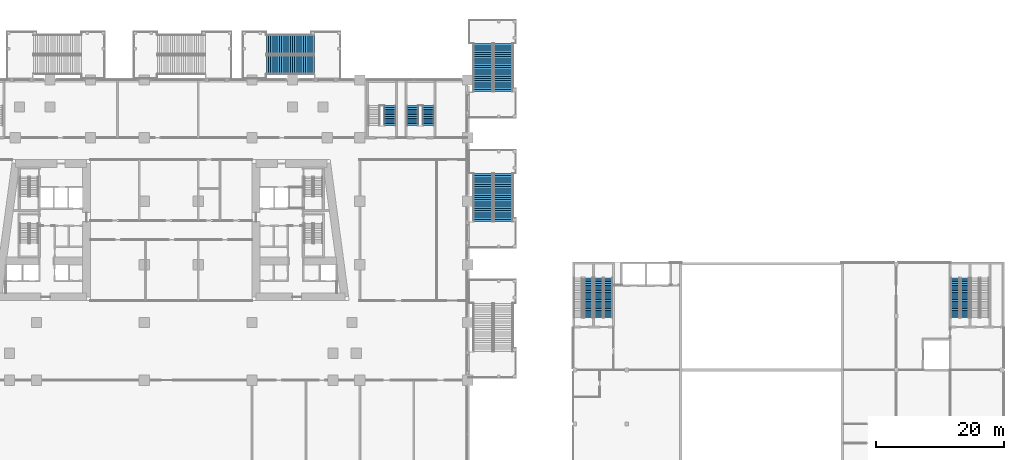
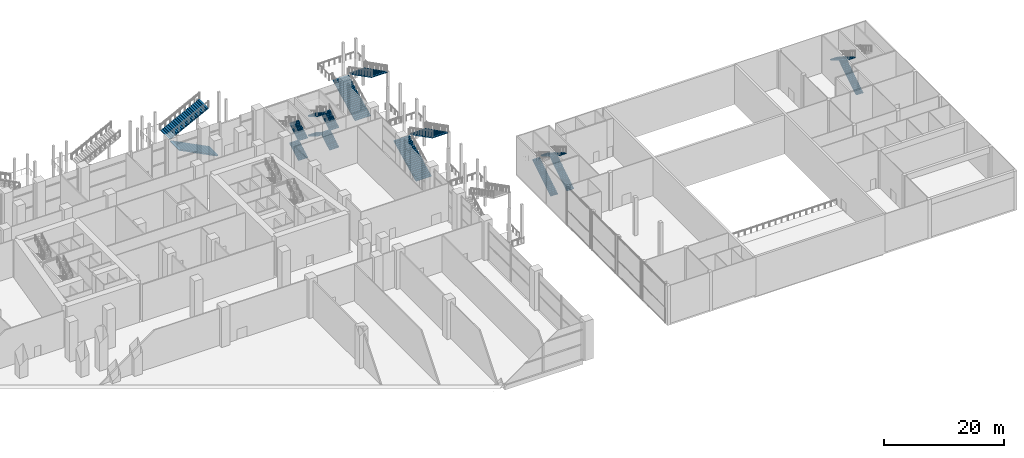
# One storey, part 36 of 52: 17 stair flights, 8 elements without a shape of their own.
"""IFC4 building model written with IfcOpenShell, lengths in metres."""

from ifc_helpers import new_model, si_unit, direction, frame, origin, place, context, subcontext, project, spatial, polyline, outline, extrude, material, type_object, element, aggregate, save


model = new_model("IFC4")

# Units and contexts
model_context = context("Model", 3, precision=1e-05, world=origin(), true_north=direction((0.0, 1.0)))
body_context = subcontext(model_context, "Body", "Model", "MODEL_VIEW")
ifc_project = project(units=[si_unit("LENGTHUNIT", "METRE"), si_unit("AREAUNIT", "SQUARE_METRE"), si_unit("VOLUMEUNIT", "CUBIC_METRE"), si_unit("PLANEANGLEUNIT", "RADIAN"), si_unit("MASSUNIT", "GRAM", prefix="KILO")], contexts=[model_context])

# Site, building, storey
site_placement = place(None, origin())
site = spatial("IfcSite", under=ifc_project, at=site_placement, CompositionType="ELEMENT")
building_placement = place(site_placement, origin())
building = spatial("IfcBuilding", under=site, at=building_placement, Name="Candeia Pilgrim Tower and Theatre", CompositionType="ELEMENT")
storey_placement = place(building_placement, frame((0.0, 0.0, 9.0)))
storey = spatial("IfcBuildingStorey", under=building, at=storey_placement, Name="L01", CompositionType="ELEMENT", Elevation=9.0)

# Stair, stair flights
ifc_material_1 = material(Name="Concrete C40/50", Category="concrete")
stair_type_1 = type_object("IfcStairType", Name="ST-EXT external escape stair", PredefinedType="HALF_TURN_STAIR", material=ifc_material_1)
stair_1_placement = place(storey_placement, origin())
stair_1 = element("IfcStair", 1, at=stair_1_placement, inside=storey, type_object=stair_type_1, Name="L01 External escape stair ES2", PredefinedType="HALF_TURN_STAIR")
stair_flight_type_1 = type_object("IfcStairFlightType", Name="SFL-EXT stair flight", PredefinedType="STRAIGHT", material=ifc_material_1)
stair_flight_1_placement = place(storey_placement, frame((162.0, 143.0, 0.0), z_axis=(0.0, 0.0, 1.0), x_axis=(0.0, 1.0, 0.0)))
stair_flight_1 = element("IfcStairFlight", 2, at=stair_flight_1_placement, type_object=stair_flight_type_1, Name="ES2 flight 1", NumberOfRisers=23, NumberOfTreads=22, PredefinedType="STRAIGHT", RiserHeight=0.173913043, TreadLength=0.34, context=body_context, shape_type="SweptSolid", body=[
    extrude(outline(polyline([(0.0, 0.0), (0.0, 0.173828125), (0.340087890625, 0.173828125), (0.340087890625, 0.347900390625), (0.679931640625, 0.347900390625), (0.679931640625, 0.521728515625), (1.02001953125, 0.521728515625), (1.02001953125, 0.695556640625), (1.360107421875, 0.695556640625), (1.360107421875, 0.86962890625), (1.699951171875, 0.86962890625), (1.699951171875, 1.04345703125), (2.0400390625, 1.04345703125), (2.0400390625, 1.21728515625), (2.3798828125, 1.21728515625), (2.3798828125, 1.391357421875), (2.719970703125, 1.391357421875), (2.719970703125, 1.565185546875), (3.06005859375, 1.565185546875), (3.06005859375, 1.739013671875), (3.39990234375, 1.739013671875), (3.39990234375, 1.9130859375), (3.739990234375, 1.9130859375), (3.739990234375, 2.0869140625), (4.080078125, 2.0869140625), (4.080078125, 2.260986328125), (4.419921875, 2.260986328125), (4.419921875, 2.434814453125), (4.760009765625, 2.434814453125), (4.760009765625, 2.608642578125), (5.10009765625, 2.608642578125), (5.10009765625, 2.78271484375), (5.43994140625, 2.78271484375), (5.43994140625, 2.95654296875), (5.780029296875, 2.95654296875), (5.780029296875, 3.13037109375), (6.1201171875, 3.13037109375), (6.1201171875, 3.304443359375), (6.4599609375, 3.304443359375), (6.4599609375, 3.478271484375), (6.800048828125, 3.478271484375), (6.800048828125, 3.652099609375), (7.139892578125, 3.652099609375), (7.139892578125, 3.826171875), (7.47998046875, 3.826171875), (7.47998046875, 4.0), (7.47998046875, 3.65771484375), (0.3291015625, 0.0), (0.0, 0.0)])), frame((0.0, 1.5, 0.0), z_axis=(0.0, -1.0, 0.0), x_axis=(1.0, 0.0, 0.0)), (0.0, 0.0, 1.0), 3.0),
])
stair_flight_2_placement = place(storey_placement, frame((165.14990234375, 150.47998046875, 4.0), z_axis=(0.0, 0.0, 1.0), x_axis=(0.0, -1.0, 0.0)))
stair_flight_2 = element("IfcStairFlight", 3, at=stair_flight_2_placement, type_object=stair_flight_type_1, Name="ES2 flight 2", NumberOfRisers=23, NumberOfTreads=22, PredefinedType="STRAIGHT", RiserHeight=0.173913043, TreadLength=0.34, context=body_context, shape_type="SweptSolid", body=[
    extrude(outline(polyline([(0.0, 0.0), (0.0, 0.173828125), (0.340087890625, 0.173828125), (0.340087890625, 0.347900390625), (0.679931640625, 0.347900390625), (0.679931640625, 0.521728515625), (1.02001953125, 0.521728515625), (1.02001953125, 0.695556640625), (1.360107421875, 0.695556640625), (1.360107421875, 0.86962890625), (1.699951171875, 0.86962890625), (1.699951171875, 1.04345703125), (2.0400390625, 1.04345703125), (2.0400390625, 1.21728515625), (2.3798828125, 1.21728515625), (2.3798828125, 1.391357421875), (2.719970703125, 1.391357421875), (2.719970703125, 1.565185546875), (3.06005859375, 1.565185546875), (3.06005859375, 1.739013671875), (3.39990234375, 1.739013671875), (3.39990234375, 1.9130859375), (3.739990234375, 1.9130859375), (3.739990234375, 2.0869140625), (4.080078125, 2.0869140625), (4.080078125, 2.260986328125), (4.419921875, 2.260986328125), (4.419921875, 2.434814453125), (4.760009765625, 2.434814453125), (4.760009765625, 2.608642578125), (5.10009765625, 2.608642578125), (5.10009765625, 2.78271484375), (5.43994140625, 2.78271484375), (5.43994140625, 2.95654296875), (5.780029296875, 2.95654296875), (5.780029296875, 3.13037109375), (6.1201171875, 3.13037109375), (6.1201171875, 3.304443359375), (6.4599609375, 3.304443359375), (6.4599609375, 3.478271484375), (6.800048828125, 3.478271484375), (6.800048828125, 3.652099609375), (7.139892578125, 3.652099609375), (7.139892578125, 3.826171875), (7.47998046875, 3.826171875), (7.47998046875, 4.0), (7.47998046875, 3.65771484375), (0.3291015625, 0.0), (0.0, 0.0)])), frame((0.0, 1.5, 0.0), z_axis=(0.0, -1.0, 0.0), x_axis=(1.0, 0.0, 0.0)), (0.0, 0.0, 1.0), 3.0),
])
aggregate(stair_1, [stair_flight_1, stair_flight_2])

stair_2_placement = place(storey_placement, origin())
stair_2 = element("IfcStair", 4, at=stair_2_placement, inside=storey, type_object=stair_type_1, Name="L01 External escape stair ES7", PredefinedType="HALF_TURN_STAIR")
stair_flight_3_placement = place(storey_placement, frame((135.699951171875, 147.199951171875, 0.0), z_axis=(0.0, 0.0, 1.0), x_axis=(-1.0, 0.0, 0.0)))
stair_flight_3 = element("IfcStairFlight", 5, at=stair_flight_3_placement, type_object=stair_flight_type_1, Name="ES7 flight 1", NumberOfRisers=23, NumberOfTreads=22, PredefinedType="STRAIGHT", RiserHeight=0.173913043, TreadLength=0.34, context=body_context, shape_type="SweptSolid", body=[
    extrude(outline(polyline([(0.0, 0.0), (0.0, 0.173828125), (0.340087890625, 0.173828125), (0.340087890625, 0.347900390625), (0.679931640625, 0.347900390625), (0.679931640625, 0.521728515625), (1.02001953125, 0.521728515625), (1.02001953125, 0.695556640625), (1.360107421875, 0.695556640625), (1.360107421875, 0.86962890625), (1.699951171875, 0.86962890625), (1.699951171875, 1.04345703125), (2.0400390625, 1.04345703125), (2.0400390625, 1.21728515625), (2.3798828125, 1.21728515625), (2.3798828125, 1.391357421875), (2.719970703125, 1.391357421875), (2.719970703125, 1.565185546875), (3.06005859375, 1.565185546875), (3.06005859375, 1.739013671875), (3.39990234375, 1.739013671875), (3.39990234375, 1.9130859375), (3.739990234375, 1.9130859375), (3.739990234375, 2.0869140625), (4.080078125, 2.0869140625), (4.080078125, 2.260986328125), (4.419921875, 2.260986328125), (4.419921875, 2.434814453125), (4.760009765625, 2.434814453125), (4.760009765625, 2.608642578125), (5.10009765625, 2.608642578125), (5.10009765625, 2.78271484375), (5.43994140625, 2.78271484375), (5.43994140625, 2.95654296875), (5.780029296875, 2.95654296875), (5.780029296875, 3.13037109375), (6.1201171875, 3.13037109375), (6.1201171875, 3.304443359375), (6.4599609375, 3.304443359375), (6.4599609375, 3.478271484375), (6.800048828125, 3.478271484375), (6.800048828125, 3.652099609375), (7.139892578125, 3.652099609375), (7.139892578125, 3.826171875), (7.47998046875, 3.826171875), (7.47998046875, 4.0), (7.47998046875, 3.65771484375), (0.3291015625, 0.0), (0.0, 0.0)])), frame((0.0, 1.5, 0.0), z_axis=(0.0, -1.0, 0.0), x_axis=(1.0, 0.0, 0.0)), (0.0, 0.0, 1.0), 3.0),
])
stair_flight_4_placement = place(storey_placement, frame((128.219970703125, 150.35009765625, 4.0), z_axis=(0.0, 0.0, 1.0), x_axis=(1.0, 0.0, 0.0)))
stair_flight_4 = element("IfcStairFlight", 6, at=stair_flight_4_placement, type_object=stair_flight_type_1, Name="ES7 flight 2", NumberOfRisers=23, NumberOfTreads=22, PredefinedType="STRAIGHT", RiserHeight=0.173913043, TreadLength=0.34, context=body_context, shape_type="SweptSolid", body=[
    extrude(outline(polyline([(0.0, 0.0), (0.0, 0.173828125), (0.340087890625, 0.173828125), (0.340087890625, 0.347900390625), (0.679931640625, 0.347900390625), (0.679931640625, 0.521728515625), (1.02001953125, 0.521728515625), (1.02001953125, 0.695556640625), (1.360107421875, 0.695556640625), (1.360107421875, 0.86962890625), (1.699951171875, 0.86962890625), (1.699951171875, 1.04345703125), (2.0400390625, 1.04345703125), (2.0400390625, 1.21728515625), (2.3798828125, 1.21728515625), (2.3798828125, 1.391357421875), (2.719970703125, 1.391357421875), (2.719970703125, 1.565185546875), (3.06005859375, 1.565185546875), (3.06005859375, 1.739013671875), (3.39990234375, 1.739013671875), (3.39990234375, 1.9130859375), (3.739990234375, 1.9130859375), (3.739990234375, 2.0869140625), (4.080078125, 2.0869140625), (4.080078125, 2.260986328125), (4.419921875, 2.260986328125), (4.419921875, 2.434814453125), (4.760009765625, 2.434814453125), (4.760009765625, 2.608642578125), (5.10009765625, 2.608642578125), (5.10009765625, 2.78271484375), (5.43994140625, 2.78271484375), (5.43994140625, 2.95654296875), (5.780029296875, 2.95654296875), (5.780029296875, 3.13037109375), (6.1201171875, 3.13037109375), (6.1201171875, 3.304443359375), (6.4599609375, 3.304443359375), (6.4599609375, 3.478271484375), (6.800048828125, 3.478271484375), (6.800048828125, 3.652099609375), (7.139892578125, 3.652099609375), (7.139892578125, 3.826171875), (7.47998046875, 3.826171875), (7.47998046875, 4.0), (7.47998046875, 3.65771484375), (0.3291015625, 0.0), (0.0, 0.0)])), frame((0.0, 1.5, 0.0), z_axis=(0.0, -1.0, 0.0), x_axis=(1.0, 0.0, 0.0)), (0.0, 0.0, 1.0), 3.0),
])
aggregate(stair_2, [stair_flight_3, stair_flight_4])

stair_3_placement = place(storey_placement, origin())
stair_3 = element("IfcStair", 7, at=stair_3_placement, inside=storey, type_object=stair_type_1, Name="L01 External escape stair ES14", PredefinedType="HALF_TURN_STAIR")
stair_flight_5_placement = place(storey_placement, frame((162.0, 122.75, 0.0), z_axis=(0.0, 0.0, 1.0), x_axis=(0.0, 1.0, 0.0)))
stair_flight_5 = element("IfcStairFlight", 8, at=stair_flight_5_placement, type_object=stair_flight_type_1, Name="ES14 flight 1", NumberOfRisers=23, NumberOfTreads=22, PredefinedType="STRAIGHT", RiserHeight=0.173913043, TreadLength=0.34, context=body_context, shape_type="SweptSolid", body=[
    extrude(outline(polyline([(0.0, 0.0), (0.0, 0.173828125), (0.340087890625, 0.173828125), (0.340087890625, 0.347900390625), (0.679931640625, 0.347900390625), (0.679931640625, 0.521728515625), (1.02001953125, 0.521728515625), (1.02001953125, 0.695556640625), (1.360107421875, 0.695556640625), (1.360107421875, 0.86962890625), (1.699951171875, 0.86962890625), (1.699951171875, 1.04345703125), (2.0400390625, 1.04345703125), (2.0400390625, 1.21728515625), (2.3798828125, 1.21728515625), (2.3798828125, 1.391357421875), (2.719970703125, 1.391357421875), (2.719970703125, 1.565185546875), (3.06005859375, 1.565185546875), (3.06005859375, 1.739013671875), (3.39990234375, 1.739013671875), (3.39990234375, 1.9130859375), (3.739990234375, 1.9130859375), (3.739990234375, 2.0869140625), (4.080078125, 2.0869140625), (4.080078125, 2.260986328125), (4.419921875, 2.260986328125), (4.419921875, 2.434814453125), (4.760009765625, 2.434814453125), (4.760009765625, 2.608642578125), (5.10009765625, 2.608642578125), (5.10009765625, 2.78271484375), (5.43994140625, 2.78271484375), (5.43994140625, 2.95654296875), (5.780029296875, 2.95654296875), (5.780029296875, 3.13037109375), (6.1201171875, 3.13037109375), (6.1201171875, 3.304443359375), (6.4599609375, 3.304443359375), (6.4599609375, 3.478271484375), (6.800048828125, 3.478271484375), (6.800048828125, 3.652099609375), (7.139892578125, 3.652099609375), (7.139892578125, 3.826171875), (7.47998046875, 3.826171875), (7.47998046875, 4.0), (7.47998046875, 3.65771484375), (0.3291015625, 0.0), (0.0, 0.0)])), frame((0.0, 1.5, 0.0), z_axis=(0.0, -1.0, 0.0), x_axis=(1.0, 0.0, 0.0)), (0.0, 0.0, 1.0), 3.0),
])
stair_flight_6_placement = place(storey_placement, frame((165.14990234375, 130.22998046875, 4.0), z_axis=(0.0, 0.0, 1.0), x_axis=(0.0, -1.0, 0.0)))
stair_flight_6 = element("IfcStairFlight", 9, at=stair_flight_6_placement, type_object=stair_flight_type_1, Name="ES14 flight 2", NumberOfRisers=23, NumberOfTreads=22, PredefinedType="STRAIGHT", RiserHeight=0.173913043, TreadLength=0.34, context=body_context, shape_type="SweptSolid", body=[
    extrude(outline(polyline([(0.0, 0.0), (0.0, 0.173828125), (0.340087890625, 0.173828125), (0.340087890625, 0.347900390625), (0.679931640625, 0.347900390625), (0.679931640625, 0.521728515625), (1.02001953125, 0.521728515625), (1.02001953125, 0.695556640625), (1.360107421875, 0.695556640625), (1.360107421875, 0.86962890625), (1.699951171875, 0.86962890625), (1.699951171875, 1.04345703125), (2.0400390625, 1.04345703125), (2.0400390625, 1.21728515625), (2.3798828125, 1.21728515625), (2.3798828125, 1.391357421875), (2.719970703125, 1.391357421875), (2.719970703125, 1.565185546875), (3.06005859375, 1.565185546875), (3.06005859375, 1.739013671875), (3.39990234375, 1.739013671875), (3.39990234375, 1.9130859375), (3.739990234375, 1.9130859375), (3.739990234375, 2.0869140625), (4.080078125, 2.0869140625), (4.080078125, 2.260986328125), (4.419921875, 2.260986328125), (4.419921875, 2.434814453125), (4.760009765625, 2.434814453125), (4.760009765625, 2.608642578125), (5.10009765625, 2.608642578125), (5.10009765625, 2.78271484375), (5.43994140625, 2.78271484375), (5.43994140625, 2.95654296875), (5.780029296875, 2.95654296875), (5.780029296875, 3.13037109375), (6.1201171875, 3.13037109375), (6.1201171875, 3.304443359375), (6.4599609375, 3.304443359375), (6.4599609375, 3.478271484375), (6.800048828125, 3.478271484375), (6.800048828125, 3.652099609375), (7.139892578125, 3.652099609375), (7.139892578125, 3.826171875), (7.47998046875, 3.826171875), (7.47998046875, 4.0), (7.47998046875, 3.65771484375), (0.3291015625, 0.0), (0.0, 0.0)])), frame((0.0, 1.5, 0.0), z_axis=(0.0, -1.0, 0.0), x_axis=(1.0, 0.0, 0.0)), (0.0, 0.0, 1.0), 3.0),
])
aggregate(stair_3, [stair_flight_5, stair_flight_6])

stair_type_2 = type_object("IfcStairType", Name="ST-POD dog-leg escape stair", PredefinedType="HALF_TURN_STAIR", material=ifc_material_1)
stair_4_placement = place(storey_placement, origin())
stair_4 = element("IfcStair", 10, at=stair_4_placement, inside=storey, type_object=stair_type_2, Name="L01 Escape stair PS3", PredefinedType="HALF_TURN_STAIR")
stair_flight_type_2 = type_object("IfcStairFlightType", Name="SFL-POD stair flight", PredefinedType="STRAIGHT", material=ifc_material_1)
stair_flight_7_placement = place(storey_placement, frame((147.47509765625, 137.72509765625, 0.0), z_axis=(0.0, 0.0, 1.0), x_axis=(0.0, 1.0, 0.0)))
stair_flight_7 = element("IfcStairFlight", 11, at=stair_flight_7_placement, type_object=stair_flight_type_2, Name="PS3 flight 1", NumberOfRisers=12, NumberOfTreads=11, PredefinedType="STRAIGHT", RiserHeight=0.166666667, TreadLength=0.28, context=body_context, shape_type="SweptSolid", body=[
    extrude(outline(polyline([(0.0, 0.0), (0.0, 0.166748046875), (0.280029296875, 0.166748046875), (0.280029296875, 0.333251953125), (0.56005859375, 0.333251953125), (0.56005859375, 0.5), (0.840087890625, 0.5), (0.840087890625, 0.666748046875), (1.1201171875, 0.666748046875), (1.1201171875, 0.833251953125), (1.39990234375, 0.833251953125), (1.39990234375, 1.0), (1.679931640625, 1.0), (1.679931640625, 1.166748046875), (1.9599609375, 1.166748046875), (1.9599609375, 1.333251953125), (2.239990234375, 1.333251953125), (2.239990234375, 1.5), (2.52001953125, 1.5), (2.52001953125, 1.666748046875), (2.800048828125, 1.666748046875), (2.800048828125, 1.833251953125), (3.080078125, 1.833251953125), (3.080078125, 2.0), (3.080078125, 1.658935546875), (0.29296875, 0.0), (0.0, 0.0)])), frame((0.0, 0.89990234375, 0.0), z_axis=(0.0, -1.0, 0.0), x_axis=(1.0, 0.0, 0.0)), (0.0, 0.0, 1.0), 1.800048828125),
])
stair_flight_8_placement = place(storey_placement, frame((147.47509765625, 137.72509765625, 4.0), z_axis=(0.0, 0.0, 1.0), x_axis=(0.0, 1.0, 0.0)))
stair_flight_8 = element("IfcStairFlight", 12, at=stair_flight_8_placement, type_object=stair_flight_type_2, Name="PS3 flight 3", NumberOfRisers=12, NumberOfTreads=11, PredefinedType="STRAIGHT", RiserHeight=0.166666667, TreadLength=0.28, context=body_context, shape_type="SweptSolid", body=[
    extrude(outline(polyline([(0.0, 0.0), (0.0, 0.166748046875), (0.280029296875, 0.166748046875), (0.280029296875, 0.333251953125), (0.56005859375, 0.333251953125), (0.56005859375, 0.5), (0.840087890625, 0.5), (0.840087890625, 0.666748046875), (1.1201171875, 0.666748046875), (1.1201171875, 0.833251953125), (1.39990234375, 0.833251953125), (1.39990234375, 1.0), (1.679931640625, 1.0), (1.679931640625, 1.166748046875), (1.9599609375, 1.166748046875), (1.9599609375, 1.333251953125), (2.239990234375, 1.333251953125), (2.239990234375, 1.5), (2.52001953125, 1.5), (2.52001953125, 1.666748046875), (2.800048828125, 1.666748046875), (2.800048828125, 1.833251953125), (3.080078125, 1.833251953125), (3.080078125, 2.0), (3.080078125, 1.658935546875), (0.29296875, 0.0), (0.0, 0.0)])), frame((0.0, 0.89990234375, 0.0), z_axis=(0.0, -1.0, 0.0), x_axis=(1.0, 0.0, 0.0)), (0.0, 0.0, 1.0), 1.800048828125),
])
aggregate(stair_4, [stair_flight_7, stair_flight_8])

stair_5_placement = place(storey_placement, origin())
stair_5 = element("IfcStair", 13, at=stair_5_placement, inside=storey, type_object=stair_type_2, Name="L01 Escape stair PS4", PredefinedType="HALF_TURN_STAIR")
stair_flight_9_placement = place(storey_placement, frame((153.47509765625, 137.72509765625, 0.0), z_axis=(0.0, 0.0, 1.0), x_axis=(0.0, 1.0, 0.0)))
stair_flight_9 = element("IfcStairFlight", 14, at=stair_flight_9_placement, type_object=stair_flight_type_2, Name="PS4 flight 1", NumberOfRisers=12, NumberOfTreads=11, PredefinedType="STRAIGHT", RiserHeight=0.166666667, TreadLength=0.28, context=body_context, shape_type="SweptSolid", body=[
    extrude(outline(polyline([(0.0, 0.0), (0.0, 0.166748046875), (0.280029296875, 0.166748046875), (0.280029296875, 0.333251953125), (0.56005859375, 0.333251953125), (0.56005859375, 0.5), (0.840087890625, 0.5), (0.840087890625, 0.666748046875), (1.1201171875, 0.666748046875), (1.1201171875, 0.833251953125), (1.39990234375, 0.833251953125), (1.39990234375, 1.0), (1.679931640625, 1.0), (1.679931640625, 1.166748046875), (1.9599609375, 1.166748046875), (1.9599609375, 1.333251953125), (2.239990234375, 1.333251953125), (2.239990234375, 1.5), (2.52001953125, 1.5), (2.52001953125, 1.666748046875), (2.800048828125, 1.666748046875), (2.800048828125, 1.833251953125), (3.080078125, 1.833251953125), (3.080078125, 2.0), (3.080078125, 1.658935546875), (0.29296875, 0.0), (0.0, 0.0)])), frame((0.0, 0.89990234375, 0.0), z_axis=(0.0, -1.0, 0.0), x_axis=(1.0, 0.0, 0.0)), (0.0, 0.0, 1.0), 1.800048828125),
])
stair_flight_10_placement = place(storey_placement, frame((151.02490234375, 140.804931640625, 2.0), z_axis=(0.0, 0.0, 1.0), x_axis=(0.0, -1.0, 0.0)))
stair_flight_10 = element("IfcStairFlight", 15, at=stair_flight_10_placement, type_object=stair_flight_type_2, Name="PS4 flight 2", NumberOfRisers=12, NumberOfTreads=11, PredefinedType="STRAIGHT", RiserHeight=0.166666667, TreadLength=0.28, context=body_context, shape_type="SweptSolid", body=[
    extrude(outline(polyline([(0.0, 0.0), (0.0, 0.166748046875), (0.280029296875, 0.166748046875), (0.280029296875, 0.333251953125), (0.56005859375, 0.333251953125), (0.56005859375, 0.5), (0.840087890625, 0.5), (0.840087890625, 0.666748046875), (1.1201171875, 0.666748046875), (1.1201171875, 0.833251953125), (1.39990234375, 0.833251953125), (1.39990234375, 1.0), (1.679931640625, 1.0), (1.679931640625, 1.166748046875), (1.9599609375, 1.166748046875), (1.9599609375, 1.333251953125), (2.239990234375, 1.333251953125), (2.239990234375, 1.5), (2.52001953125, 1.5), (2.52001953125, 1.666748046875), (2.800048828125, 1.666748046875), (2.800048828125, 1.833251953125), (3.080078125, 1.833251953125), (3.080078125, 2.0), (3.080078125, 1.658935546875), (0.29296875, 0.0), (0.0, 0.0)])), frame((0.0, 0.89990234375, 0.0), z_axis=(0.0, -1.0, 0.0), x_axis=(1.0, 0.0, 0.0)), (0.0, 0.0, 1.0), 1.800048828125),
])
stair_flight_11_placement = place(storey_placement, frame((153.47509765625, 137.72509765625, 4.0), z_axis=(0.0, 0.0, 1.0), x_axis=(0.0, 1.0, 0.0)))
stair_flight_11 = element("IfcStairFlight", 16, at=stair_flight_11_placement, type_object=stair_flight_type_2, Name="PS4 flight 3", NumberOfRisers=12, NumberOfTreads=11, PredefinedType="STRAIGHT", RiserHeight=0.166666667, TreadLength=0.28, context=body_context, shape_type="SweptSolid", body=[
    extrude(outline(polyline([(0.0, 0.0), (0.0, 0.166748046875), (0.280029296875, 0.166748046875), (0.280029296875, 0.333251953125), (0.56005859375, 0.333251953125), (0.56005859375, 0.5), (0.840087890625, 0.5), (0.840087890625, 0.666748046875), (1.1201171875, 0.666748046875), (1.1201171875, 0.833251953125), (1.39990234375, 0.833251953125), (1.39990234375, 1.0), (1.679931640625, 1.0), (1.679931640625, 1.166748046875), (1.9599609375, 1.166748046875), (1.9599609375, 1.333251953125), (2.239990234375, 1.333251953125), (2.239990234375, 1.5), (2.52001953125, 1.5), (2.52001953125, 1.666748046875), (2.800048828125, 1.666748046875), (2.800048828125, 1.833251953125), (3.080078125, 1.833251953125), (3.080078125, 2.0), (3.080078125, 1.658935546875), (0.29296875, 0.0), (0.0, 0.0)])), frame((0.0, 0.89990234375, 0.0), z_axis=(0.0, -1.0, 0.0), x_axis=(1.0, 0.0, 0.0)), (0.0, 0.0, 1.0), 1.800048828125),
])
stair_flight_12_placement = place(storey_placement, frame((151.02490234375, 140.804931640625, 6.0), z_axis=(0.0, 0.0, 1.0), x_axis=(0.0, -1.0, 0.0)))
stair_flight_12 = element("IfcStairFlight", 17, at=stair_flight_12_placement, type_object=stair_flight_type_2, Name="PS4 flight 4", NumberOfRisers=12, NumberOfTreads=11, PredefinedType="STRAIGHT", RiserHeight=0.166666667, TreadLength=0.28, context=body_context, shape_type="SweptSolid", body=[
    extrude(outline(polyline([(0.0, 0.0), (0.0, 0.166748046875), (0.280029296875, 0.166748046875), (0.280029296875, 0.333251953125), (0.56005859375, 0.333251953125), (0.56005859375, 0.5), (0.840087890625, 0.5), (0.840087890625, 0.666748046875), (1.1201171875, 0.666748046875), (1.1201171875, 0.833251953125), (1.39990234375, 0.833251953125), (1.39990234375, 1.0), (1.679931640625, 1.0), (1.679931640625, 1.166748046875), (1.9599609375, 1.166748046875), (1.9599609375, 1.333251953125), (2.239990234375, 1.333251953125), (2.239990234375, 1.5), (2.52001953125, 1.5), (2.52001953125, 1.666748046875), (2.800048828125, 1.666748046875), (2.800048828125, 1.833251953125), (3.080078125, 1.833251953125), (3.080078125, 2.0), (3.080078125, 1.658935546875), (0.29296875, 0.0), (0.0, 0.0)])), frame((0.0, 0.89990234375, 0.0), z_axis=(0.0, -1.0, 0.0), x_axis=(1.0, 0.0, 0.0)), (0.0, 0.0, 1.0), 1.800048828125),
])
aggregate(stair_5, [stair_flight_9, stair_flight_10, stair_flight_11, stair_flight_12])

# Stair, stair flight
ifc_material_2 = material(Name="Concrete C35/45", Category="concrete")
stair_type_3 = type_object("IfcStairType", Name="Theatre stair", PredefinedType="HALF_TURN_STAIR", material=ifc_material_2)
stair_6_placement = place(storey_placement, origin())
stair_6 = element("IfcStair", 18, at=stair_6_placement, inside=storey, type_object=stair_type_3, Name="L01 Theatre stair S1", PredefinedType="HALF_TURN_STAIR")
stair_flight_type_3 = type_object("IfcStairFlightType", Name="Theatre stair flight", PredefinedType="STRAIGHT", material=ifc_material_2)
stair_flight_13_placement = place(storey_placement, frame((178.425048828125, 107.77490234375, 0.0), z_axis=(0.0, 0.0, 1.0), x_axis=(0.0, 1.0, 0.0)))
stair_flight_13 = element("IfcStairFlight", 19, at=stair_flight_13_placement, type_object=stair_flight_type_3, Name="TS1 flight 1", NumberOfRisers=23, NumberOfTreads=22, PredefinedType="STRAIGHT", RiserHeight=0.173913043, TreadLength=0.28, context=body_context, shape_type="SweptSolid", body=[
    extrude(outline(polyline([(0.0, 0.0), (0.0, 0.173828125), (0.280029296875, 0.173828125), (0.280029296875, 0.347900390625), (0.56005859375, 0.347900390625), (0.56005859375, 0.521728515625), (0.840087890625, 0.521728515625), (0.840087890625, 0.695556640625), (1.1201171875, 0.695556640625), (1.1201171875, 0.86962890625), (1.39990234375, 0.86962890625), (1.39990234375, 1.04345703125), (1.679931640625, 1.04345703125), (1.679931640625, 1.21728515625), (1.9599609375, 1.21728515625), (1.9599609375, 1.391357421875), (2.239990234375, 1.391357421875), (2.239990234375, 1.565185546875), (2.52001953125, 1.565185546875), (2.52001953125, 1.739013671875), (2.800048828125, 1.739013671875), (2.800048828125, 1.9130859375), (3.080078125, 1.9130859375), (3.080078125, 2.0869140625), (3.360107421875, 2.0869140625), (3.360107421875, 2.260986328125), (3.639892578125, 2.260986328125), (3.639892578125, 2.434814453125), (3.919921875, 2.434814453125), (3.919921875, 2.608642578125), (4.199951171875, 2.608642578125), (4.199951171875, 2.78271484375), (4.47998046875, 2.78271484375), (4.47998046875, 2.95654296875), (4.760009765625, 2.95654296875), (4.760009765625, 3.13037109375), (5.0400390625, 3.13037109375), (5.0400390625, 3.304443359375), (5.320068359375, 3.304443359375), (5.320068359375, 3.478271484375), (5.60009765625, 3.478271484375), (5.60009765625, 3.652099609375), (5.8798828125, 3.652099609375), (5.8798828125, 3.826171875), (6.159912109375, 3.826171875), (6.159912109375, 4.0), (6.159912109375, 3.649658203125), (0.2841796875, 0.0), (0.0, 0.0)])), frame((0.0, 0.675048828125, 0.0), z_axis=(0.0, -1.0, 0.0), x_axis=(1.0, 0.0, 0.0)), (0.0, 0.0, 1.0), 1.35009765625),
])
aggregate(stair_6, [stair_flight_13])

# Stair, stair flights
stair_7_placement = place(storey_placement, origin())
stair_7 = element("IfcStair", 20, at=stair_7_placement, inside=storey, type_object=stair_type_3, Name="L01 Theatre stair S2", PredefinedType="HALF_TURN_STAIR")
stair_flight_14_placement = place(storey_placement, frame((181.52490234375, 107.77490234375, 0.0), z_axis=(0.0, 0.0, 1.0), x_axis=(0.0, 1.0, 0.0)))
stair_flight_14 = element("IfcStairFlight", 21, at=stair_flight_14_placement, type_object=stair_flight_type_3, Name="TS2 flight 1", NumberOfRisers=23, NumberOfTreads=22, PredefinedType="STRAIGHT", RiserHeight=0.173913043, TreadLength=0.28, context=body_context, shape_type="SweptSolid", body=[
    extrude(outline(polyline([(0.0, 0.0), (0.0, 0.173828125), (0.280029296875, 0.173828125), (0.280029296875, 0.347900390625), (0.56005859375, 0.347900390625), (0.56005859375, 0.521728515625), (0.840087890625, 0.521728515625), (0.840087890625, 0.695556640625), (1.1201171875, 0.695556640625), (1.1201171875, 0.86962890625), (1.39990234375, 0.86962890625), (1.39990234375, 1.04345703125), (1.679931640625, 1.04345703125), (1.679931640625, 1.21728515625), (1.9599609375, 1.21728515625), (1.9599609375, 1.391357421875), (2.239990234375, 1.391357421875), (2.239990234375, 1.565185546875), (2.52001953125, 1.565185546875), (2.52001953125, 1.739013671875), (2.800048828125, 1.739013671875), (2.800048828125, 1.9130859375), (3.080078125, 1.9130859375), (3.080078125, 2.0869140625), (3.360107421875, 2.0869140625), (3.360107421875, 2.260986328125), (3.639892578125, 2.260986328125), (3.639892578125, 2.434814453125), (3.919921875, 2.434814453125), (3.919921875, 2.608642578125), (4.199951171875, 2.608642578125), (4.199951171875, 2.78271484375), (4.47998046875, 2.78271484375), (4.47998046875, 2.95654296875), (4.760009765625, 2.95654296875), (4.760009765625, 3.13037109375), (5.0400390625, 3.13037109375), (5.0400390625, 3.304443359375), (5.320068359375, 3.304443359375), (5.320068359375, 3.478271484375), (5.60009765625, 3.478271484375), (5.60009765625, 3.652099609375), (5.8798828125, 3.652099609375), (5.8798828125, 3.826171875), (6.159912109375, 3.826171875), (6.159912109375, 4.0), (6.159912109375, 3.649658203125), (0.2841796875, 0.0), (0.0, 0.0)])), frame((0.0, 0.675048828125, 0.0), z_axis=(0.0, -1.0, 0.0), x_axis=(1.0, 0.0, 0.0)), (0.0, 0.0, 1.0), 1.35009765625),
])
stair_flight_15_placement = place(storey_placement, frame((180.02490234375, 113.93505859375, 4.0), z_axis=(0.0, 0.0, 1.0), x_axis=(0.0, -1.0, 0.0)))
stair_flight_15 = element("IfcStairFlight", 22, at=stair_flight_15_placement, type_object=stair_flight_type_3, Name="TS2 flight 2", NumberOfRisers=23, NumberOfTreads=22, PredefinedType="STRAIGHT", RiserHeight=0.173913043, TreadLength=0.28, context=body_context, shape_type="SweptSolid", body=[
    extrude(outline(polyline([(0.0, 0.0), (0.0, 0.173828125), (0.280029296875, 0.173828125), (0.280029296875, 0.347900390625), (0.56005859375, 0.347900390625), (0.56005859375, 0.521728515625), (0.840087890625, 0.521728515625), (0.840087890625, 0.695556640625), (1.1201171875, 0.695556640625), (1.1201171875, 0.86962890625), (1.39990234375, 0.86962890625), (1.39990234375, 1.04345703125), (1.679931640625, 1.04345703125), (1.679931640625, 1.21728515625), (1.9599609375, 1.21728515625), (1.9599609375, 1.391357421875), (2.239990234375, 1.391357421875), (2.239990234375, 1.565185546875), (2.52001953125, 1.565185546875), (2.52001953125, 1.739013671875), (2.800048828125, 1.739013671875), (2.800048828125, 1.9130859375), (3.080078125, 1.9130859375), (3.080078125, 2.0869140625), (3.360107421875, 2.0869140625), (3.360107421875, 2.260986328125), (3.639892578125, 2.260986328125), (3.639892578125, 2.434814453125), (3.919921875, 2.434814453125), (3.919921875, 2.608642578125), (4.199951171875, 2.608642578125), (4.199951171875, 2.78271484375), (4.47998046875, 2.78271484375), (4.47998046875, 2.95654296875), (4.760009765625, 2.95654296875), (4.760009765625, 3.13037109375), (5.0400390625, 3.13037109375), (5.0400390625, 3.304443359375), (5.320068359375, 3.304443359375), (5.320068359375, 3.478271484375), (5.60009765625, 3.478271484375), (5.60009765625, 3.652099609375), (5.8798828125, 3.652099609375), (5.8798828125, 3.826171875), (6.159912109375, 3.826171875), (6.159912109375, 4.0), (6.159912109375, 3.649658203125), (0.2841796875, 0.0), (0.0, 0.0)])), frame((0.0, 0.675048828125, 0.0), z_axis=(0.0, -1.0, 0.0), x_axis=(1.0, 0.0, 0.0)), (0.0, 0.0, 1.0), 1.35009765625),
])
aggregate(stair_7, [stair_flight_14, stair_flight_15])

stair_8_placement = place(storey_placement, origin())
stair_8 = element("IfcStair", 23, at=stair_8_placement, inside=storey, type_object=stair_type_3, Name="L01 Theatre stair S3", PredefinedType="HALF_TURN_STAIR")
stair_flight_16_placement = place(storey_placement, frame((237.10009765625, 107.77490234375, 0.0), z_axis=(0.0, 0.0, 1.0), x_axis=(0.0, 1.0, 0.0)))
stair_flight_16 = element("IfcStairFlight", 24, at=stair_flight_16_placement, type_object=stair_flight_type_3, Name="TS3 flight 1", NumberOfRisers=23, NumberOfTreads=22, PredefinedType="STRAIGHT", RiserHeight=0.173913043, TreadLength=0.28, context=body_context, shape_type="SweptSolid", body=[
    extrude(outline(polyline([(0.0, 0.0), (0.0, 0.173828125), (0.280029296875, 0.173828125), (0.280029296875, 0.347900390625), (0.56005859375, 0.347900390625), (0.56005859375, 0.521728515625), (0.840087890625, 0.521728515625), (0.840087890625, 0.695556640625), (1.1201171875, 0.695556640625), (1.1201171875, 0.86962890625), (1.39990234375, 0.86962890625), (1.39990234375, 1.04345703125), (1.679931640625, 1.04345703125), (1.679931640625, 1.21728515625), (1.9599609375, 1.21728515625), (1.9599609375, 1.391357421875), (2.239990234375, 1.391357421875), (2.239990234375, 1.565185546875), (2.52001953125, 1.565185546875), (2.52001953125, 1.739013671875), (2.800048828125, 1.739013671875), (2.800048828125, 1.9130859375), (3.080078125, 1.9130859375), (3.080078125, 2.0869140625), (3.360107421875, 2.0869140625), (3.360107421875, 2.260986328125), (3.639892578125, 2.260986328125), (3.639892578125, 2.434814453125), (3.919921875, 2.434814453125), (3.919921875, 2.608642578125), (4.199951171875, 2.608642578125), (4.199951171875, 2.78271484375), (4.47998046875, 2.78271484375), (4.47998046875, 2.95654296875), (4.760009765625, 2.95654296875), (4.760009765625, 3.13037109375), (5.0400390625, 3.13037109375), (5.0400390625, 3.304443359375), (5.320068359375, 3.304443359375), (5.320068359375, 3.478271484375), (5.60009765625, 3.478271484375), (5.60009765625, 3.652099609375), (5.8798828125, 3.652099609375), (5.8798828125, 3.826171875), (6.159912109375, 3.826171875), (6.159912109375, 4.0), (6.159912109375, 3.649658203125), (0.2841796875, 0.0), (0.0, 0.0)])), frame((0.0, 0.675048828125, 0.0), z_axis=(0.0, -1.0, 0.0), x_axis=(1.0, 0.0, 0.0)), (0.0, 0.0, 1.0), 1.35009765625),
])
stair_flight_17_placement = place(storey_placement, frame((235.60009765625, 113.93505859375, 4.0), z_axis=(0.0, 0.0, 1.0), x_axis=(0.0, -1.0, 0.0)))
stair_flight_17 = element("IfcStairFlight", 25, at=stair_flight_17_placement, type_object=stair_flight_type_3, Name="TS3 flight 2", NumberOfRisers=23, NumberOfTreads=22, PredefinedType="STRAIGHT", RiserHeight=0.173913043, TreadLength=0.28, context=body_context, shape_type="SweptSolid", body=[
    extrude(outline(polyline([(0.0, 0.0), (0.0, 0.173828125), (0.280029296875, 0.173828125), (0.280029296875, 0.347900390625), (0.56005859375, 0.347900390625), (0.56005859375, 0.521728515625), (0.840087890625, 0.521728515625), (0.840087890625, 0.695556640625), (1.1201171875, 0.695556640625), (1.1201171875, 0.86962890625), (1.39990234375, 0.86962890625), (1.39990234375, 1.04345703125), (1.679931640625, 1.04345703125), (1.679931640625, 1.21728515625), (1.9599609375, 1.21728515625), (1.9599609375, 1.391357421875), (2.239990234375, 1.391357421875), (2.239990234375, 1.565185546875), (2.52001953125, 1.565185546875), (2.52001953125, 1.739013671875), (2.800048828125, 1.739013671875), (2.800048828125, 1.9130859375), (3.080078125, 1.9130859375), (3.080078125, 2.0869140625), (3.360107421875, 2.0869140625), (3.360107421875, 2.260986328125), (3.639892578125, 2.260986328125), (3.639892578125, 2.434814453125), (3.919921875, 2.434814453125), (3.919921875, 2.608642578125), (4.199951171875, 2.608642578125), (4.199951171875, 2.78271484375), (4.47998046875, 2.78271484375), (4.47998046875, 2.95654296875), (4.760009765625, 2.95654296875), (4.760009765625, 3.13037109375), (5.0400390625, 3.13037109375), (5.0400390625, 3.304443359375), (5.320068359375, 3.304443359375), (5.320068359375, 3.478271484375), (5.60009765625, 3.478271484375), (5.60009765625, 3.652099609375), (5.8798828125, 3.652099609375), (5.8798828125, 3.826171875), (6.159912109375, 3.826171875), (6.159912109375, 4.0), (6.159912109375, 3.649658203125), (0.2841796875, 0.0), (0.0, 0.0)])), frame((0.0, 0.675048828125, 0.0), z_axis=(0.0, -1.0, 0.0), x_axis=(1.0, 0.0, 0.0)), (0.0, 0.0, 1.0), 1.35009765625),
])
aggregate(stair_8, [stair_flight_16, stair_flight_17])

save(model, "model.ifc")
